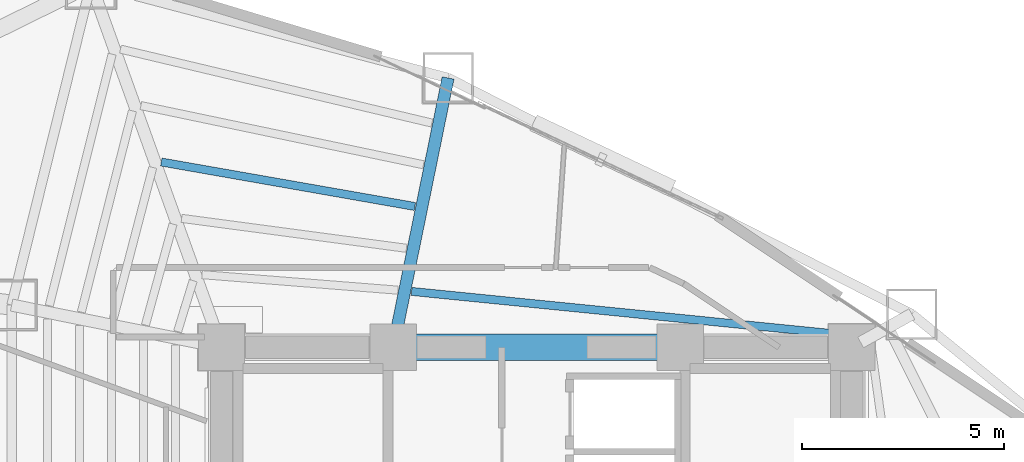
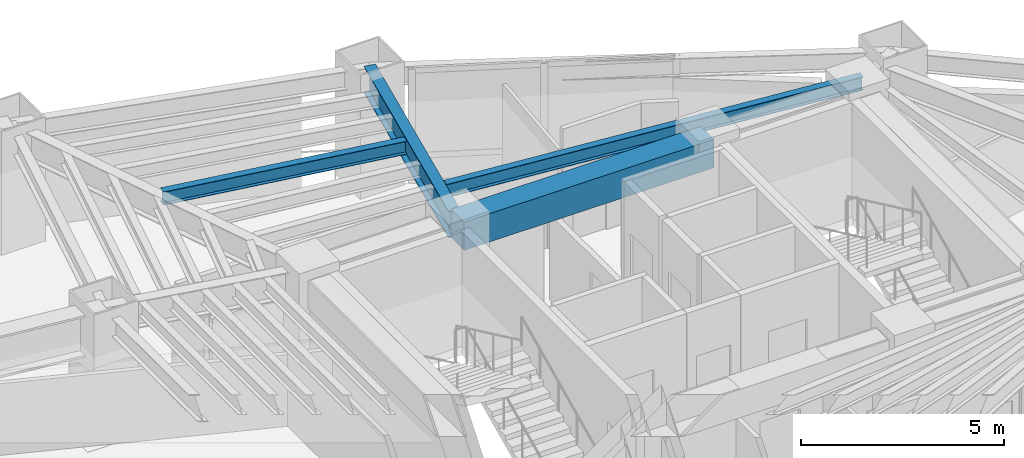
# One storey, part 13 of 25: 4 beams.
"""IFC4 building model written with IfcOpenShell, lengths in metres."""

from ifc_helpers import new_model, si_unit, direction, frame, origin, origin_2d, place, context, subcontext, project, spatial, rectangle, i_section, extrude, material, material_profile, profile_set, type_object, element, save


model = new_model("IFC4")

# Units and contexts
model_context = context("Model", 3, precision=1e-05, world=origin(), true_north=direction((0.0, 1.0)))
body_context = subcontext(model_context, "Body", "Model", "MODEL_VIEW")
ifc_project = project(units=[si_unit("LENGTHUNIT", "METRE"), si_unit("AREAUNIT", "SQUARE_METRE"), si_unit("VOLUMEUNIT", "CUBIC_METRE"), si_unit("PLANEANGLEUNIT", "RADIAN"), si_unit("MASSUNIT", "GRAM", prefix="KILO")], contexts=[model_context])

# Site, building, storey
site_placement = place(None, origin())
site = spatial("IfcSite", under=ifc_project, at=site_placement, CompositionType="ELEMENT")
building_placement = place(site_placement, origin())
building = spatial("IfcBuilding", under=site, at=building_placement, Name="Menara Vayukalpa", CompositionType="ELEMENT")
storey_placement = place(building_placement, frame((0.0, 0.0, 115.139892578125)))
storey = spatial("IfcBuildingStorey", under=building, at=storey_placement, Name="L28", CompositionType="ELEMENT", Elevation=115.139892578125)

# Beams
ifc_material_1 = material(Name="Concrete C60/75", Category="concrete")
ifc_material_profile_1 = material_profile(ifc_material_1, rectangle(XDim=0.64990234375, YDim=0.85009765625, at=origin_2d()), Name="RC 650x850")
ifc_profile_set_1 = profile_set([ifc_material_profile_1], Name="Concrete C60/75")
beam_type_1 = type_object("IfcBeamType", Name="BM-CB1", PredefinedType="BEAM", material=ifc_profile_set_1)
beam_1_placement = place(storey_placement, frame((22.050048828125, 26.800048828125, 3.01513671875), z_axis=(1.0, 0.0, 0.0), x_axis=(0.0, 1.0, 0.0)))
element("IfcBeam", 1, at=beam_1_placement, inside=storey, type_object=beam_type_1, Name="L28 Core Tie Beam CBR5", PredefinedType="BEAM", context=body_context, shape_type="SweptSolid", body=[
    extrude(rectangle(XDim=0.64990234375, YDim=0.85009765625, at=origin_2d()), origin(), (0.0, 0.0, 1.0), 7.099853515625),
])
ifc_material_2 = material(Name="Steel S355", Category="steel")
ifc_material_profile_2 = material_profile(ifc_material_2, i_section(OverallWidth=0.300048828125, OverallDepth=0.800048828125, WebThickness=0.013916015625, FlangeThickness=0.02587890625, at=origin_2d()), Name="WF 800x300x14x26")
ifc_profile_set_2 = profile_set([ifc_material_profile_2], Name="Steel S355")
beam_type_2 = type_object("IfcBeamType", Name="BM-PG3", PredefinedType="BEAM", material=ifc_profile_set_2)
beam_2_placement = place(storey_placement, frame((22.099853515625, 27.044921875, 3.0400390625), z_axis=(0.199617728418, 0.9798738503, 0.0), x_axis=(-0.9798738503, 0.199617728418, 0.0)))
element("IfcBeam", 2, at=beam_2_placement, inside=storey, type_object=beam_type_2, Name="L28 Primary Radial Girder RG03", PredefinedType="BEAM", context=body_context, shape_type="SweptSolid", body=[
    extrude(i_section(OverallWidth=0.300048828125, OverallDepth=0.800048828125, WebThickness=0.013916015625, FlangeThickness=0.02587890625, at=origin_2d()), origin(), (0.0, 0.0, 1.0), 6.55419921875),
])
ifc_material_3 = material(Name="Steel S355", Category="steel")
ifc_material_profile_3 = material_profile(ifc_material_3, i_section(OverallWidth=0.199951171875, OverallDepth=0.39990234375, WebThickness=0.008056640625, FlangeThickness=0.012939453125, at=origin_2d()), Name="WF 400x200x8x13")
ifc_profile_set_3 = profile_set([ifc_material_profile_3], Name="Steel S355")
beam_type_3 = type_object("IfcBeamType", Name="BM-SJ2", PredefinedType="JOIST", material=ifc_profile_set_3)
beam_3_placement = place(storey_placement, frame((33.677978515625, 27.06396484375, 3.239990234375), z_axis=(-0.995012836574, 0.099746955103, 0.0), x_axis=(-0.099746955103, -0.995012836574, 0.0)))
element("IfcBeam", 3, at=beam_3_placement, inside=storey, type_object=beam_type_3, Name="L28 Secondary Floor Joist SJ02-1", PredefinedType="JOIST", context=body_context, shape_type="SweptSolid", body=[
    extrude(i_section(OverallWidth=0.199951171875, OverallDepth=0.39990234375, WebThickness=0.008056640625, FlangeThickness=0.012939453125, at=origin_2d()), origin(), (0.0, 0.0, 1.0), 11.2294921875),
])
beam_4_placement = place(storey_placement, frame((22.586669921875, 30.28564453125, 3.239990234375), z_axis=(-0.984953935883, 0.172817083033, 0.0), x_axis=(-0.172817083033, -0.984953935883, 0.0)))
element("IfcBeam", 4, at=beam_4_placement, inside=storey, type_object=beam_type_3, Name="L28 Secondary Floor Joist SJ03-3", PredefinedType="JOIST", context=body_context, shape_type="SweptSolid", body=[
    extrude(i_section(OverallWidth=0.199951171875, OverallDepth=0.39990234375, WebThickness=0.008056640625, FlangeThickness=0.012939453125, at=origin_2d()), origin(), (0.0, 0.0, 1.0), 6.372802734375),
])

save(model, "model.ifc")
